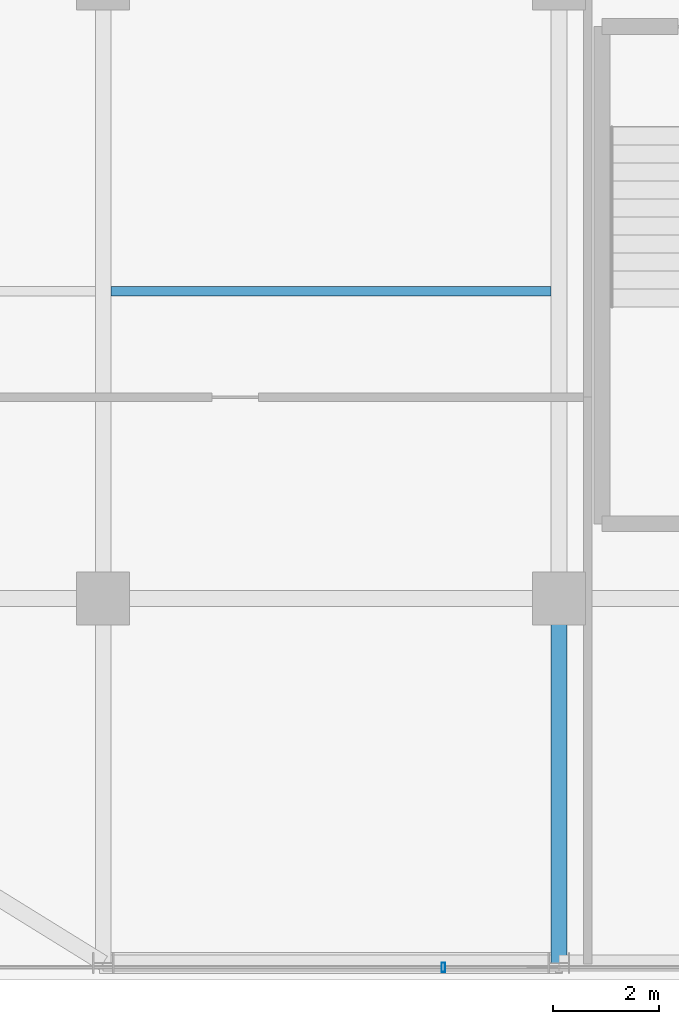
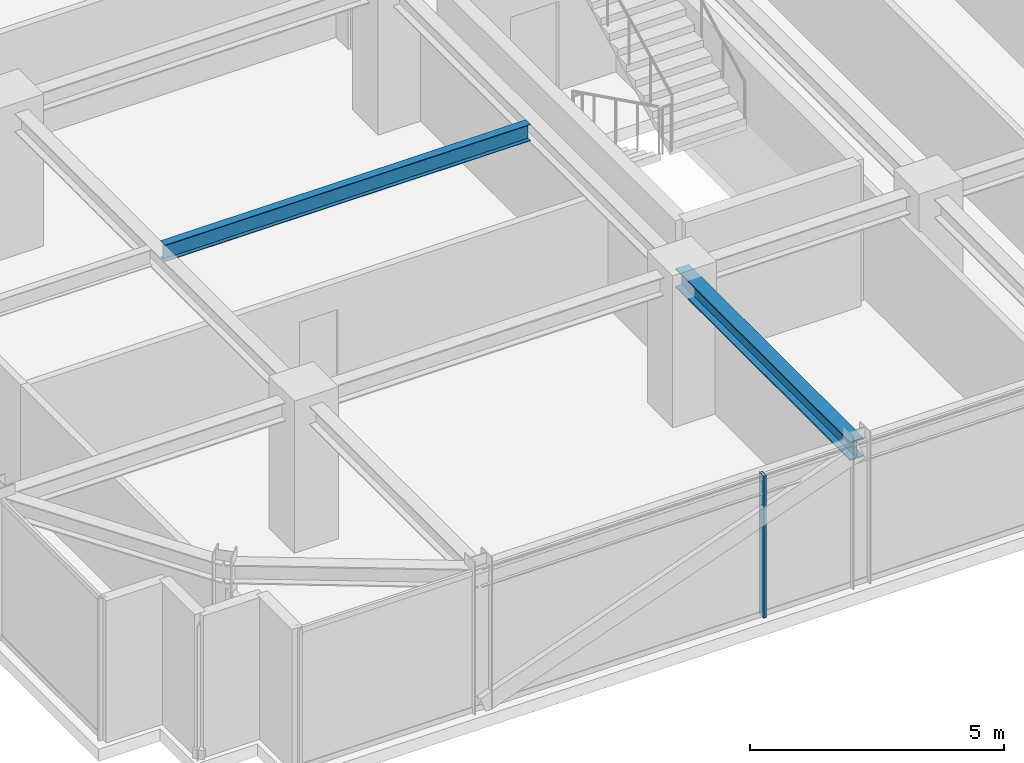
# One storey, part 7 of 41: 2 beams, 1 member, 1 element without a shape of its own.
"""IFC4 building model written with IfcOpenShell, lengths in metres."""

import ifcopenshell
import ifcopenshell.guid

model = None  # the IFC model being written
_history = None  # IfcOwnerHistory: only IFC2X3 demands one
_inside = {}  # id of a spatial element -> (the spatial element, [elements in it])
_under = {}  # id of a project, library or spatial element -> (it, [spatial elements below it])
_declared = {}  # id of a project -> (the project, [libraries it declares])
_typed = {}  # id of a type object -> (the type object, [elements of that type])
_made_of = {}  # id of a material, layer set ... -> (it, [elements and type objects made of it])


def new_model(schema):
    """Start an empty IFC model of exactly this schema.

    Asked for "IFC4X3", IfcOpenShell would pick the latest addendum, in which some entities
    have other attributes; the version numbers below select the first issue.
    IFC2X3 requires an IfcOwnerHistory on every rooted entity: one is made here for all.
    """
    global model, _history
    if schema == "IFC4X3":
        model = ifcopenshell.file(schema_version=(4, 3, 0, 0))
    else:
        model = ifcopenshell.file(schema=schema)
    _inside.clear()
    _under.clear()
    _declared.clear()
    _typed.clear()
    _made_of.clear()
    _history = None
    if model.schema == "IFC2X3":
        org = make("IfcOrganization", Name="unknown")
        user = make(
            "IfcPersonAndOrganization",
            ThePerson=make("IfcPerson", FamilyName="unknown"),
            TheOrganization=org,
        )
        app = make(
            "IfcApplication",
            ApplicationDeveloper=org,
            Version="unknown",
            ApplicationFullName="unknown",
            ApplicationIdentifier="unknown",
        )
        _history = make(
            "IfcOwnerHistory",
            OwningUser=user,
            OwningApplication=app,
            ChangeAction="ADDED",
            CreationDate=0,
        )
    return model


def make(cls, **values):
    """One entity of the class cls with the attributes given. An attribute that is None is left unset."""
    return model.create_entity(
        cls, **{name: value for name, value in values.items() if value is not None}
    )


def rooted(cls, **values):
    """An entity with a GlobalId (a new one), such as an element, a storey or a relation."""
    return make(cls, GlobalId=ifcopenshell.guid.new(), OwnerHistory=_history, **values)


def si_unit(unit_type, name, prefix=None):
    """IfcSIUnit, for example si_unit("LENGTHUNIT", "METRE", prefix="MILLI")."""
    return make("IfcSIUnit", UnitType=unit_type, Prefix=prefix, Name=name)


def assignment(units):
    """IfcUnitAssignment: the units of a project."""
    return None if units is None else make("IfcUnitAssignment", Units=units)


def point(xyz):
    """IfcCartesianPoint."""
    return None if xyz is None else make("IfcCartesianPoint", Coordinates=xyz)


def direction(xyz):
    """IfcDirection."""
    return None if xyz is None else make("IfcDirection", DirectionRatios=xyz)


def frame(location, z_axis=None, x_axis=None):
    """IfcAxis2Placement3D, a coordinate frame: its origin and axes. An axis left out is left unset."""
    return make(
        "IfcAxis2Placement3D",
        Location=point(location),
        Axis=direction(z_axis),
        RefDirection=direction(x_axis),
    )


def frame_2d(location, x_axis=None):
    """IfcAxis2Placement2D, a coordinate frame in the plane: its origin and x axis."""
    return make(
        "IfcAxis2Placement2D", Location=point(location), RefDirection=direction(x_axis)
    )


def origin():
    """The frame at (0, 0, 0) with its axes left unset."""
    return frame((0.0, 0.0, 0.0))


def origin_2d():
    """The frame at (0, 0) in the plane with its x axis left unset."""
    return frame_2d((0.0, 0.0))


def place(relative_to, where):
    """IfcLocalPlacement: puts the frame where relative to a parent placement (None: the world)."""
    return make(
        "IfcLocalPlacement", PlacementRelTo=relative_to, RelativePlacement=where
    )


def context(
    kind, dimensions, precision=None, world=None, true_north=None, identifier=None
):
    """IfcGeometricRepresentationContext, for example the 3D "Model" context."""
    return make(
        "IfcGeometricRepresentationContext",
        ContextIdentifier=identifier,
        ContextType=kind,
        CoordinateSpaceDimension=dimensions,
        Precision=precision,
        WorldCoordinateSystem=world,
        TrueNorth=true_north,
    )


def subcontext(parent, identifier, kind, view, scale=None):
    """IfcGeometricRepresentationSubContext, for example "Body" below "Model"."""
    return make(
        "IfcGeometricRepresentationSubContext",
        ContextIdentifier=identifier,
        ContextType=kind,
        ParentContext=parent,
        TargetScale=scale,
        TargetView=view,
    )


def project(units=None, contexts=None):
    """IfcProject with its units and contexts."""
    return rooted(
        "IfcProject",
        Name="project",
        RepresentationContexts=contexts,
        UnitsInContext=assignment(units),
    )


def spatial(cls, under=None, at=None, **own):
    """A site, building, storey or space (cls), placed at a placement, below another one or the project."""
    s = rooted(cls, ObjectPlacement=at, **own)
    if under is not None:
        _under.setdefault(under.id(), (under, []))[1].append(s)
    return s


def profile(cls, at=None, kind="AREA", **sizes):
    """A parametric profile (cls). Its sizes go by their IFC names, for example OverallWidth=200.0."""
    return make(cls, ProfileType=kind, Position=at, **sizes)


def hollow_rectangle(**sizes):
    """IfcRectangleHollowProfileDef."""
    return profile("IfcRectangleHollowProfileDef", **sizes)


def i_section(**sizes):
    """IfcIShapeProfileDef."""
    return profile("IfcIShapeProfileDef", **sizes)


def extrude(swept, where, along, depth):
    """IfcExtrudedAreaSolid: the profile swept, set in the frame where, extruded along a direction by depth."""
    return make(
        "IfcExtrudedAreaSolid",
        SweptArea=swept,
        Position=where,
        ExtrudedDirection=direction(along),
        Depth=depth,
    )


def shape(context_of_items, identifier, shape_type, items):
    """IfcShapeRepresentation: the items that make up one representation, for example the "Body"."""
    return make(
        "IfcShapeRepresentation",
        ContextOfItems=context_of_items,
        RepresentationIdentifier=identifier,
        RepresentationType=shape_type,
        Items=items,
    )


def source(mapping_origin, context_of_items, identifier, shape_type, items):
    """IfcRepresentationMap: a shape defined once, which mapped items show again and again."""
    return make(
        "IfcRepresentationMap",
        MappingOrigin=mapping_origin,
        MappedRepresentation=shape(context_of_items, identifier, shape_type, items),
    )


def transform(
    local_origin,
    x_axis=None,
    y_axis=None,
    z_axis=None,
    scale=None,
    scale2=None,
    scale3=None,
    uniform=True,
):
    """IfcCartesianTransformationOperator3D, or its non-uniform kind. x_axis, y_axis, z_axis: its Axis1, 2, 3."""
    if uniform:
        return make(
            "IfcCartesianTransformationOperator3D",
            Axis1=direction(x_axis),
            Axis2=direction(y_axis),
            LocalOrigin=point(local_origin),
            Scale=scale,
            Axis3=direction(z_axis),
        )
    return make(
        "IfcCartesianTransformationOperator3DnonUniform",
        Axis1=direction(x_axis),
        Axis2=direction(y_axis),
        LocalOrigin=point(local_origin),
        Scale=scale,
        Axis3=direction(z_axis),
        Scale2=scale2,
        Scale3=scale3,
    )


def mapped(mapping_source, mapping_target):
    """IfcMappedItem: shows the shape of a source again, moved by a transform."""
    return make(
        "IfcMappedItem", MappingSource=mapping_source, MappingTarget=mapping_target
    )


def material(Name=None, Category=None):
    """IfcMaterial."""
    return make("IfcMaterial", Name=Name, Category=Category)


def material_profile(
    of_material, cross_section, Name=None, Category=None, Priority=None
):
    """IfcMaterialProfile: a cross section and its material."""
    return make(
        "IfcMaterialProfile",
        Name=Name,
        Material=of_material,
        Profile=cross_section,
        Priority=Priority,
        Category=Category,
    )


def profile_set(profiles, Name=None, composite=None):
    """IfcMaterialProfileSet."""
    return make(
        "IfcMaterialProfileSet",
        Name=Name,
        MaterialProfiles=profiles,
        CompositeProfile=composite,
    )


def made_of(thing, what):
    """Note that an element or type object is made of a material, layer set ...; save() writes the relation."""
    if what is not None:
        _made_of.setdefault(what.id(), (what, []))[1].append(thing)
    return thing


def type_object(cls, material=None, **own):
    """A type object (cls), such as IfcWallType, which elements share."""
    return made_of(rooted(cls, **own), material)


def element(
    cls,
    number,
    at=None,
    inside=None,
    cuts=None,
    type_object=None,
    material=None,
    context=None,
    identifier="Body",
    shape_type=None,
    held_by="IfcProductDefinitionShape",
    body=None,
    shapes=None,
    **own,
):
    """One element of the class cls, such as IfcWall. Its Tag is "e" and its number.

    at: its placement. inside: the storey or other place that contains it. cuts: it is an
    opening in that element (IfcRelVoidsElement). A single representation is given by context,
    identifier, shape_type and body (its items); several are given by shapes. held_by: the class
    of the entity that holds the representations. save() writes the other relations.
    """
    e = rooted(cls, Tag="e%d" % number, ObjectPlacement=at, **own)
    if body is not None:
        shapes = [shape(context, identifier, shape_type, body)]
    if shapes is not None:
        e.Representation = make(held_by, Representations=shapes)
    if inside is not None:
        _inside.setdefault(inside.id(), (inside, []))[1].append(e)
    if cuts is not None:
        rooted(
            "IfcRelVoidsElement", RelatingBuildingElement=cuts, RelatedOpeningElement=e
        )
    if type_object is not None:
        _typed.setdefault(type_object.id(), (type_object, []))[1].append(e)
    return made_of(e, material)


def aggregate(whole, parts):
    """IfcRelAggregates: a whole, such as a stair, and the parts it consists of."""
    return rooted("IfcRelAggregates", RelatingObject=whole, RelatedObjects=parts)


def save(model, path):
    """Write the relations noted so far, then the file.

    IfcRelAggregates (storeys below a building ...), IfcRelContainedInSpatialStructure (elements
    in a storey), IfcRelDefinesByType, IfcRelAssociatesMaterial and IfcRelDeclares: one each for
    every whole, place, type object, material and project.
    """
    for whole, parts in _under.values():
        aggregate(whole, parts)
    for where, things in _inside.values():
        rooted(
            "IfcRelContainedInSpatialStructure",
            RelatedElements=things,
            RelatingStructure=where,
        )
    for kind, things in _typed.values():
        rooted("IfcRelDefinesByType", RelatedObjects=things, RelatingType=kind)
    for what, things in _made_of.values():
        rooted("IfcRelAssociatesMaterial", RelatedObjects=things, RelatingMaterial=what)
    for by, libraries in _declared.values():
        rooted("IfcRelDeclares", RelatingContext=by, RelatedDefinitions=libraries)
    model.write(path)


model = new_model("IFC4")

# Units and contexts
model_context = context("Model", 3, precision=1e-05, world=origin(), true_north=direction((0.0, 1.0)))
body_context = subcontext(model_context, "Body", "Model", "MODEL_VIEW")
ifc_project = project(units=[si_unit("LENGTHUNIT", "METRE"), si_unit("AREAUNIT", "SQUARE_METRE"), si_unit("VOLUMEUNIT", "CUBIC_METRE"), si_unit("PLANEANGLEUNIT", "RADIAN"), si_unit("MASSUNIT", "GRAM", prefix="KILO")], contexts=[model_context])

# Site, building, storey
site_placement = place(None, origin())
site = spatial("IfcSite", under=ifc_project, at=site_placement, CompositionType="ELEMENT")
building_placement = place(site_placement, origin())
building = spatial("IfcBuilding", under=site, at=building_placement, Name="Nahalor Promenade Grand Hotel", CompositionType="ELEMENT")
storey_placement = place(building_placement, frame((0.0, 0.0, 227.10009765625)))
storey = spatial("IfcBuildingStorey", under=building, at=storey_placement, Name="L58", CompositionType="ELEMENT", Elevation=227.10009765625)

# Beams
ifc_material_1 = material(Name="Steel S355JR", Category="steel")
ifc_material_profile_1 = material_profile(ifc_material_1, i_section(OverallWidth=0.3, OverallDepth=0.45, WebThickness=0.014, FlangeThickness=0.026, at=origin_2d()), Name="HEB 450")
ifc_profile_set_1 = profile_set([ifc_material_profile_1], Name="Steel S355JR")
beam_type_1 = type_object("IfcBeamType", Name="Beam-Girder-HEB450", PredefinedType="BEAM", material=ifc_profile_set_1)
shared_shape_1 = source(origin(), body_context, "Body", "SweptSolid", [
    extrude(i_section(OverallWidth=0.3, OverallDepth=0.45, WebThickness=0.014, FlangeThickness=0.026, at=origin_2d()), origin(), (0.0, 0.0, 1.0), 6.8798828125),
])
beam_1_placement = place(storey_placement, frame((-8.39990234375, -23.8798828125, 3.184814453125), z_axis=(0.0, 1.0, 0.0), x_axis=(-1.0, 0.0, 0.0)))
element("IfcBeam", 1, at=beam_1_placement, inside=storey, type_object=beam_type_1, Name="BM-L58-GY-1-0", PredefinedType="BEAM", context=body_context, shape_type="MappedRepresentation", body=[
    mapped(shared_shape_1, transform((0.0, 0.0, 0.0), scale=1.0)),
])
ifc_material_profile_2 = material_profile(ifc_material_1, i_section(OverallWidth=0.18, OverallDepth=0.4, WebThickness=0.0086, FlangeThickness=0.0135, at=origin_2d()), Name="IPE 400")
ifc_profile_set_2 = profile_set([ifc_material_profile_2], Name="Steel S355JR")
beam_type_2 = type_object("IfcBeamType", Name="Beam-Joist-IPE400", PredefinedType="JOIST", material=ifc_profile_set_2)
shared_shape_2 = source(origin(), body_context, "Body", "SweptSolid", [
    extrude(i_section(OverallWidth=0.18, OverallDepth=0.4, WebThickness=0.0086, FlangeThickness=0.0135, at=origin_2d()), origin(), (0.0, 0.0, 1.0), 8.300048828125),
])
beam_2_placement = place(storey_placement, frame((-16.85009765625, -11.199951171875, 3.2099609375), z_axis=(1.0, 0.0, 0.0), x_axis=(0.0, 1.0, 0.0)))
element("IfcBeam", 2, at=beam_2_placement, inside=storey, type_object=beam_type_2, Name="BM-L58-JSW-0-1", PredefinedType="JOIST", context=body_context, shape_type="MappedRepresentation", body=[
    mapped(shared_shape_2, transform((0.0, 0.0, 0.0), scale=1.0)),
])

# Curtain wall, member
ifc_material_2 = material(Name="Anodised Bronze Aluminium EN AW-6063 T6", Category="aluminium")
curtain_wall_type = type_object("IfcCurtainWallType", Name="CW2 Typical Hotel Flush Bronze Unitised Curtain Wall", PredefinedType="USERDEFINED", material=ifc_material_2)
curtain_wall_placement = place(storey_placement, origin())
curtain_wall = element("IfcCurtainWall", 3, at=curtain_wall_placement, inside=storey, type_object=curtain_wall_type, Name="L58 Curtain Wall CW-L58-S-1", ObjectType="UNITISED_CURTAIN_WALL", PredefinedType="USERDEFINED")
ifc_material_profile_3 = material_profile(ifc_material_2, hollow_rectangle(XDim=0.065, YDim=0.18, WallThickness=0.004, at=origin_2d()), Name="CWM 65x180x4")
ifc_profile_set_3 = profile_set([ifc_material_profile_3], Name="Anodised Bronze Aluminium EN AW-6063 T6")
member_type = type_object("IfcMemberType", Name="CWM2 Typical Bronze Mullion 65x180", PredefinedType="MULLION", material=ifc_profile_set_3)
shared_shape_3 = source(origin(), body_context, "Body", "SweptSolid", [
    extrude(hollow_rectangle(XDim=0.065, YDim=0.18, WallThickness=0.004, at=origin_2d()), origin(), (0.0, 0.0, 1.0), 3.409912109375),
])
member_placement = place(storey_placement, frame((-10.580078125, -23.9599609375, 0.0), z_axis=(0.0, 0.0, 1.0), x_axis=(1.0, 0.0, 0.0)))
member = element("IfcMember", 4, at=member_placement, type_object=member_type, Name="CW-L58-S-1 Mullion 1", PredefinedType="MULLION", context=body_context, shape_type="MappedRepresentation", body=[
    mapped(shared_shape_3, transform((0.0, 0.0, 0.0), scale=1.0)),
])
aggregate(curtain_wall, [member])

save(model, "model.ifc")
